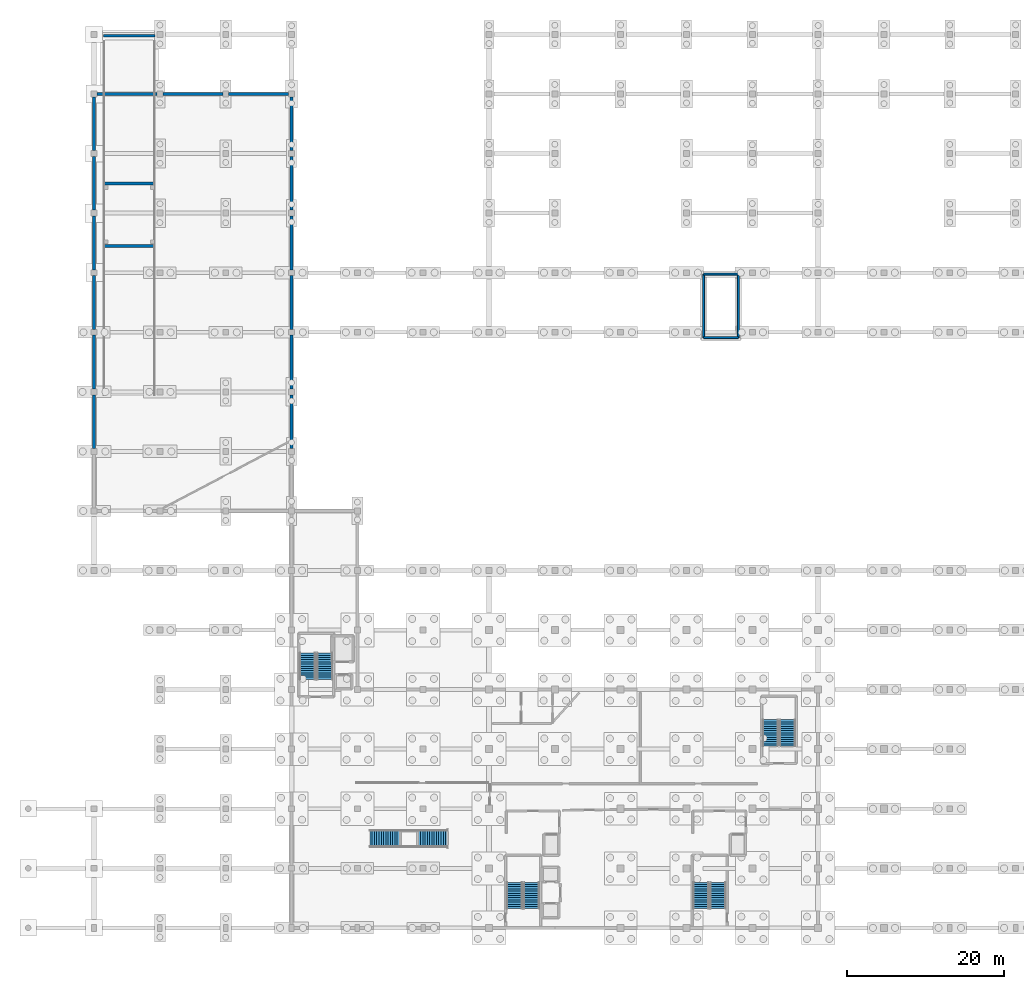
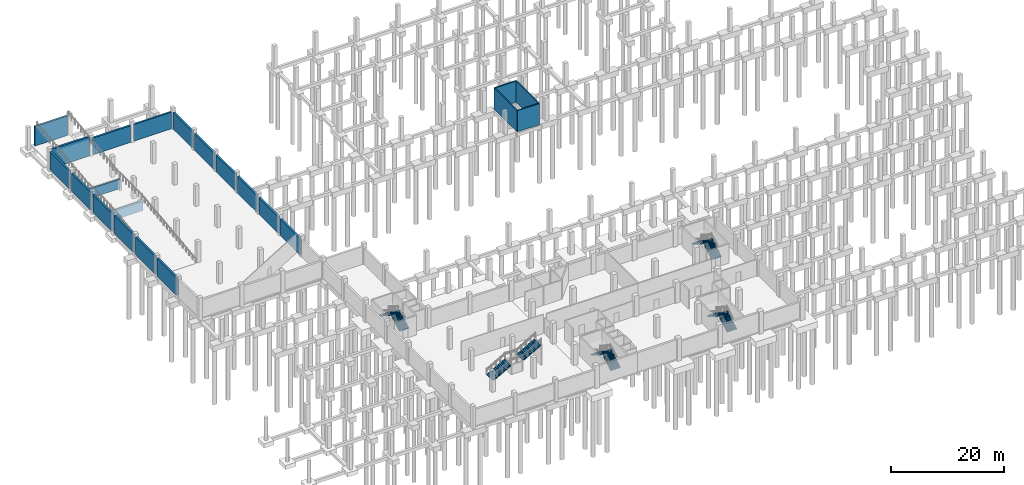
# One storey, part 16 of 22: 22 walls, 10 stair flights, 5 elements without a shape of their own.
"""IFC4 building model written with IfcOpenShell, lengths in metres."""

from ifc_helpers import new_model, si_unit, direction, frame, frame_2d, origin, place, context, subcontext, project, spatial, polyline, rectangle, outline, extrude, material, layer, layer_set, type_object, element, aggregate, save


model = new_model("IFC4")

# Units and contexts
model_context = context("Model", 3, precision=1e-05, world=origin(), true_north=direction((0.0, 1.0)))
body_context = subcontext(model_context, "Body", "Model", "MODEL_VIEW")
ifc_project = project(units=[si_unit("LENGTHUNIT", "METRE"), si_unit("AREAUNIT", "SQUARE_METRE"), si_unit("VOLUMEUNIT", "CUBIC_METRE"), si_unit("PLANEANGLEUNIT", "RADIAN"), si_unit("MASSUNIT", "GRAM", prefix="KILO")], contexts=[model_context])

# Site, building, storey
site_placement = place(None, origin())
site = spatial("IfcSite", under=ifc_project, at=site_placement, CompositionType="ELEMENT")
building_placement = place(site_placement, origin())
building = spatial("IfcBuilding", under=site, at=building_placement, Name="Zuvorla Pavilion Media Centre", CompositionType="ELEMENT")
storey_placement = place(building_placement, frame((0.0, 0.0, -4.5)))
storey = spatial("IfcBuildingStorey", under=building, at=storey_placement, Name="B01", CompositionType="ELEMENT", Elevation=-4.5)

# Walls
ifc_material_1 = material(Name="Concrete C40/50", Category="concrete")
ifc_layer_1 = layer(ifc_material_1, 0.25)
ifc_layer_set_1 = layer_set([ifc_layer_1], Name="Concrete C40/50")
wall_type_1 = type_object("IfcWallType", Name="WL-COR-250", PredefinedType="SHEAR", material=ifc_layer_set_1)
wall_1_placement = place(storey_placement, frame((94.175048828125, 81.324951171875, -0.39990234375), z_axis=(0.0, 0.0, 1.0), x_axis=(1.0, 0.0, 0.0)))
element("IfcWall", 1, at=wall_1_placement, inside=storey, type_object=wall_type_1, Name="B01 shear wall CW25 1", PredefinedType="SHEAR", context=body_context, shape_type="SweptSolid", body=[
    extrude(rectangle(XDim=4.449951171875, YDim=0.25, at=frame_2d((2.22509765625, 0.0))), origin(), (0.0, 0.0, 1.0), 4.579833984375),
])
wall_2_placement = place(storey_placement, frame((98.625, 81.324951171875, -0.39990234375), z_axis=(0.0, 0.0, 1.0), x_axis=(0.0, 1.0, 0.0)))
element("IfcWall", 2, at=wall_2_placement, inside=storey, type_object=wall_type_1, Name="B01 shear wall CW25 2", PredefinedType="SHEAR", context=body_context, shape_type="SweptSolid", body=[
    extrude(rectangle(XDim=8.10009765625, YDim=0.25, at=frame_2d((4.050048828125, 0.0))), origin(), (0.0, 0.0, 1.0), 4.579833984375),
])
wall_3_placement = place(storey_placement, frame((98.625, 89.425048828125, -0.39990234375), z_axis=(0.0, 0.0, 1.0), x_axis=(-1.0, 0.0, 0.0)))
element("IfcWall", 3, at=wall_3_placement, inside=storey, type_object=wall_type_1, Name="B01 shear wall CW25 3", PredefinedType="SHEAR", context=body_context, shape_type="SweptSolid", body=[
    extrude(rectangle(XDim=4.449951171875, YDim=0.25, at=frame_2d((2.22509765625, 0.0))), origin(), (0.0, 0.0, 1.0), 4.579833984375),
])
wall_4_placement = place(storey_placement, frame((94.175048828125, 89.425048828125, -0.39990234375), z_axis=(0.0, 0.0, 1.0), x_axis=(0.0, -1.0, 0.0)))
element("IfcWall", 4, at=wall_4_placement, inside=storey, type_object=wall_type_1, Name="B01 shear wall CW25 4", PredefinedType="SHEAR", context=body_context, shape_type="SweptSolid", body=[
    extrude(rectangle(XDim=8.10009765625, YDim=0.25, at=frame_2d((4.050048828125, 0.0))), origin(), (0.0, 0.0, 1.0), 4.579833984375),
])
ifc_layer_2 = layer(ifc_material_1, 0.35009765625)
ifc_layer_set_2 = layer_set([ifc_layer_2], Name="Concrete C40/50")
wall_type_2 = type_object("IfcWallType", Name="WL-COR-350", PredefinedType="SHEAR", material=ifc_layer_set_2)
for number, where, z_axis, x_axis, name in (
    (5, (17.60009765625, 93.02490234375, 0.0), (0.0, 0.0, 1.0), (1.0, 0.0, 0.0), "B01 shear wall CW35 363"),
    (6, (17.60009765625, 100.97509765625, 0.0), (0.0, 0.0, 1.0), (1.0, 0.0, 0.0), "B01 shear wall CW35 364"),
):
    element("IfcWall", number, at=place(storey_placement, frame(where, z_axis=z_axis, x_axis=x_axis)), inside=storey, type_object=wall_type_2, Name=name, PredefinedType="SHEAR", context=body_context, shape_type="SweptSolid", body=[
        extrude(rectangle(XDim=6.599853515625, YDim=0.35009765625, at=frame_2d((3.2998046875, 0.0))), origin(), (0.0, 0.0, 1.0), 1.985107421875),
    ])
wall_5_placement = place(storey_placement, frame((17.60009765625, 119.85009765625, 0.0), z_axis=(0.0, 0.0, 1.0), x_axis=(1.0, 0.0, 0.0)))
element("IfcWall", 7, at=wall_5_placement, inside=storey, type_object=wall_type_2, Name="B01 shear wall CW35 365", PredefinedType="SHEAR", context=body_context, shape_type="SweptSolid", body=[
    extrude(rectangle(XDim=6.599853515625, YDim=0.35009765625, at=frame_2d((3.2998046875, 0.0))), origin(), (0.0, 0.0, 1.0), 4.219970703125),
])
ifc_material_2 = material(Name="Dark charcoal terracotta concrete C40/50", Category="masonry")
ifc_layer_3 = layer(ifc_material_2, 0.3798828125)
ifc_layer_set_3 = layer_set([ifc_layer_3], Name="Dark charcoal terracotta concrete C40/50")
wall_type_3 = type_object("IfcWallType", Name="WL-EXT-380", PredefinedType="SOLIDWALL", material=ifc_layer_set_3)
wall_6_placement = place(storey_placement, frame((41.60009765625, 67.175048828125, 0.0), z_axis=(0.0, 0.0, 1.0), x_axis=(0.0, 1.0, 0.0)))
element("IfcWall", 8, at=wall_6_placement, inside=storey, type_object=wall_type_3, Name="B01 exterior solid wall EW01 25", PredefinedType="SOLIDWALL", context=body_context, shape_type="SweptSolid", body=[
    extrude(rectangle(XDim=6.849853515625, YDim=0.3798828125, at=frame_2d((3.4248046875, 0.0))), origin(), (0.0, 0.0, 1.0), 3.6103515625),
])
for number, where, z_axis, x_axis, name in (
    (9, (41.60009765625, 74.77490234375, 0.0), (0.0, 0.0, 1.0), (0.0, 1.0, 0.0), "B01 exterior solid wall EW01 26"),
    (10, (41.60009765625, 82.375, 0.0), (0.0, 0.0, 1.0), (0.0, 1.0, 0.0), "B01 exterior solid wall EW01 27"),
):
    element("IfcWall", number, at=place(storey_placement, frame(where, z_axis=z_axis, x_axis=x_axis)), inside=storey, type_object=wall_type_3, Name=name, PredefinedType="SOLIDWALL", context=body_context, shape_type="SweptSolid", body=[
        extrude(rectangle(XDim=6.85009765625, YDim=0.3798828125, at=frame_2d((3.425048828125, 0.0))), origin(), (0.0, 0.0, 1.0), 3.6103515625),
    ])
wall_7_placement = place(storey_placement, frame((41.60009765625, 89.97509765625, 0.0), z_axis=(0.0, 0.0, 1.0), x_axis=(0.0, 1.0, 0.0)))
element("IfcWall", 11, at=wall_7_placement, inside=storey, type_object=wall_type_3, Name="B01 exterior solid wall EW01 28", PredefinedType="SOLIDWALL", context=body_context, shape_type="SweptSolid", body=[
    extrude(rectangle(XDim=6.849853515625, YDim=0.3798828125, at=frame_2d((3.4248046875, 0.0))), origin(), (0.0, 0.0, 1.0), 3.6103515625),
])
wall_8_placement = place(storey_placement, frame((41.60009765625, 97.574951171875, 0.0), z_axis=(0.0, 0.0, 1.0), x_axis=(0.0, 1.0, 0.0)))
element("IfcWall", 12, at=wall_8_placement, inside=storey, type_object=wall_type_3, Name="B01 exterior solid wall EW01 29", PredefinedType="SOLIDWALL", context=body_context, shape_type="SweptSolid", body=[
    extrude(rectangle(XDim=6.85009765625, YDim=0.3798828125, at=frame_2d((3.425048828125, 0.0))), origin(), (0.0, 0.0, 1.0), 3.6103515625),
])
wall_9_placement = place(storey_placement, frame((41.60009765625, 105.175048828125, 0.0), z_axis=(0.0, 0.0, 1.0), x_axis=(0.0, 1.0, 0.0)))
element("IfcWall", 13, at=wall_9_placement, inside=storey, type_object=wall_type_3, Name="B01 exterior solid wall EW01 30", PredefinedType="SOLIDWALL", context=body_context, shape_type="SweptSolid", body=[
    extrude(rectangle(XDim=6.849853515625, YDim=0.3798828125, at=frame_2d((3.4248046875, 0.0))), origin(), (0.0, 0.0, 1.0), 3.6103515625),
])
wall_10_placement = place(storey_placement, frame((41.22509765625, 112.39990234375, 0.0), z_axis=(0.0, 0.0, 1.0), x_axis=(-1.0, 0.0, 0.0)))
element("IfcWall", 14, at=wall_10_placement, inside=storey, type_object=wall_type_3, Name="B01 exterior solid wall EW01 31", PredefinedType="SOLIDWALL", context=body_context, shape_type="SweptSolid", body=[
    extrude(rectangle(XDim=7.650146484375, YDim=0.3798828125, at=frame_2d((3.8251953125, 0.0))), origin(), (0.0, 0.0, 1.0), 3.6103515625),
])
wall_11_placement = place(storey_placement, frame((32.824951171875, 112.39990234375, 0.0), z_axis=(0.0, 0.0, 1.0), x_axis=(-1.0, 0.0, 0.0)))
element("IfcWall", 15, at=wall_11_placement, inside=storey, type_object=wall_type_3, Name="B01 exterior solid wall EW01 32", PredefinedType="SOLIDWALL", context=body_context, shape_type="SweptSolid", body=[
    extrude(rectangle(XDim=7.64990234375, YDim=0.3798828125, at=frame_2d((3.824951171875, 0.0))), origin(), (0.0, 0.0, 1.0), 3.6103515625),
])
wall_12_placement = place(storey_placement, frame((24.425048828125, 112.39990234375, 0.0), z_axis=(0.0, 0.0, 1.0), x_axis=(-1.0, 0.0, 0.0)))
element("IfcWall", 16, at=wall_12_placement, inside=storey, type_object=wall_type_3, Name="B01 exterior solid wall EW01 33", PredefinedType="SOLIDWALL", context=body_context, shape_type="SweptSolid", body=[
    extrude(rectangle(XDim=7.650146484375, YDim=0.3798828125, at=frame_2d((3.8251953125, 0.0))), origin(), (0.0, 0.0, 1.0), 4.159912109375),
])
wall_13_placement = place(storey_placement, frame((16.39990234375, 112.02490234375, 0.0), z_axis=(0.0, 0.0, 1.0), x_axis=(0.0, -1.0, 0.0)))
element("IfcWall", 17, at=wall_13_placement, inside=storey, type_object=wall_type_3, Name="B01 exterior solid wall EW01 34", PredefinedType="SOLIDWALL", context=body_context, shape_type="SweptSolid", body=[
    extrude(rectangle(XDim=6.849853515625, YDim=0.3798828125, at=frame_2d((3.4248046875, 0.0))), origin(), (0.0, 0.0, 1.0), 3.89697265625),
])
wall_14_placement = place(storey_placement, frame((16.39990234375, 104.425048828125, 0.0), z_axis=(0.0, 0.0, 1.0), x_axis=(0.0, -1.0, 0.0)))
element("IfcWall", 18, at=wall_14_placement, inside=storey, type_object=wall_type_3, Name="B01 exterior solid wall EW01 35", PredefinedType="SOLIDWALL", context=body_context, shape_type="SweptSolid", body=[
    extrude(rectangle(XDim=6.85009765625, YDim=0.3798828125, at=frame_2d((3.425048828125, 0.0))), origin(), (0.0, 0.0, 1.0), 3.89697265625),
])
wall_15_placement = place(storey_placement, frame((16.39990234375, 96.824951171875, 0.0), z_axis=(0.0, 0.0, 1.0), x_axis=(0.0, -1.0, 0.0)))
element("IfcWall", 19, at=wall_15_placement, inside=storey, type_object=wall_type_3, Name="B01 exterior solid wall EW01 36", PredefinedType="SOLIDWALL", context=body_context, shape_type="SweptSolid", body=[
    extrude(rectangle(XDim=6.849853515625, YDim=0.3798828125, at=frame_2d((3.4248046875, 0.0))), origin(), (0.0, 0.0, 1.0), 3.89697265625),
])
for number, where, z_axis, x_axis, name in (
    (20, (16.39990234375, 89.22509765625, 0.0), (0.0, 0.0, 1.0), (0.0, -1.0, 0.0), "B01 exterior solid wall EW01 37"),
    (21, (16.39990234375, 81.625, 0.0), (0.0, 0.0, 1.0), (0.0, -1.0, 0.0), "B01 exterior solid wall EW01 38"),
):
    element("IfcWall", number, at=place(storey_placement, frame(where, z_axis=z_axis, x_axis=x_axis)), inside=storey, type_object=wall_type_3, Name=name, PredefinedType="SOLIDWALL", context=body_context, shape_type="SweptSolid", body=[
        extrude(rectangle(XDim=6.85009765625, YDim=0.3798828125, at=frame_2d((3.425048828125, 0.0))), origin(), (0.0, 0.0, 1.0), 3.89697265625),
    ])
wall_16_placement = place(storey_placement, frame((16.39990234375, 74.02490234375, 0.0), z_axis=(0.0, 0.0, 1.0), x_axis=(0.0, -1.0, 0.0)))
element("IfcWall", 22, at=wall_16_placement, inside=storey, type_object=wall_type_3, Name="B01 exterior solid wall EW01 39", PredefinedType="SOLIDWALL", context=body_context, shape_type="SweptSolid", body=[
    extrude(rectangle(XDim=6.849853515625, YDim=0.3798828125, at=frame_2d((3.4248046875, 0.0))), origin(), (0.0, 0.0, 1.0), 3.89697265625),
])

# Stair, stair flights
stair_type_1 = type_object("IfcStairType", Name="STR-DOG-450", PredefinedType="TWO_STRAIGHT_RUN_STAIR", material=ifc_material_1)
stair_1_placement = place(storey_placement, origin())
stair_1 = element("IfcStair", 23, at=stair_1_placement, inside=storey, type_object=stair_type_1, Name="B01 exit stair ST-01", PredefinedType="TWO_STRAIGHT_RUN_STAIR")
stair_flight_type_1 = type_object("IfcStairFlightType", Name="FLT-DOG-450", PredefinedType="STRAIGHT", material=ifc_material_1)
stair_flight_1_placement = place(storey_placement, frame((72.25, 8.449951171875, 0.0), z_axis=(0.0, 0.0, 1.0), x_axis=(0.0, 1.0, 0.0)))
stair_flight_1 = element("IfcStairFlight", 24, at=stair_flight_1_placement, type_object=stair_flight_type_1, Name="ST-01 flight 1", NumberOfRisers=13, NumberOfTreads=12, PredefinedType="STRAIGHT", RiserHeight=0.173076923, TreadLength=0.28, context=body_context, shape_type="SweptSolid", body=[
    extrude(outline(polyline([(0.0, 0.0), (0.0, 0.173095703125), (0.280029296875, 0.173095703125), (0.280029296875, 0.34619140625), (0.56005859375, 0.34619140625), (0.56005859375, 0.519287109375), (0.840087890625, 0.519287109375), (0.840087890625, 0.6923828125), (1.1201171875, 0.6923828125), (1.1201171875, 0.865478515625), (1.39990234375, 0.865478515625), (1.39990234375, 1.03857421875), (1.679931640625, 1.03857421875), (1.679931640625, 1.21142578125), (1.9599609375, 1.21142578125), (1.9599609375, 1.384521484375), (2.239990234375, 1.384521484375), (2.239990234375, 1.5576171875), (2.52001953125, 1.5576171875), (2.52001953125, 1.730712890625), (2.800048828125, 1.730712890625), (2.800048828125, 1.90380859375), (3.080078125, 1.90380859375), (3.080078125, 2.076904296875), (3.360107421875, 2.076904296875), (3.360107421875, 2.25), (3.360107421875, 1.888916015625), (0.30419921875, 0.0), (0.0, 0.0)])), frame((0.0, 1.0, 0.0), z_axis=(0.0, -1.0, 0.0), x_axis=(1.0, 0.0, 0.0)), (0.0, 0.0, 1.0), 2.0),
])
stair_flight_2_placement = place(storey_placement, frame((70.050048828125, 11.81005859375, 2.25), z_axis=(0.0, 0.0, 1.0), x_axis=(0.0, -1.0, 0.0)))
stair_flight_2 = element("IfcStairFlight", 25, at=stair_flight_2_placement, type_object=stair_flight_type_1, Name="ST-01 flight 2", NumberOfRisers=13, NumberOfTreads=12, PredefinedType="STRAIGHT", RiserHeight=0.173076923, TreadLength=0.28, context=body_context, shape_type="SweptSolid", body=[
    extrude(outline(polyline([(0.0, 0.0), (0.0, 0.173095703125), (0.280029296875, 0.173095703125), (0.280029296875, 0.34619140625), (0.56005859375, 0.34619140625), (0.56005859375, 0.519287109375), (0.840087890625, 0.519287109375), (0.840087890625, 0.6923828125), (1.1201171875, 0.6923828125), (1.1201171875, 0.865478515625), (1.39990234375, 0.865478515625), (1.39990234375, 1.03857421875), (1.679931640625, 1.03857421875), (1.679931640625, 1.21142578125), (1.9599609375, 1.21142578125), (1.9599609375, 1.384521484375), (2.239990234375, 1.384521484375), (2.239990234375, 1.5576171875), (2.52001953125, 1.5576171875), (2.52001953125, 1.730712890625), (2.800048828125, 1.730712890625), (2.800048828125, 1.90380859375), (3.080078125, 1.90380859375), (3.080078125, 2.076904296875), (3.360107421875, 2.076904296875), (3.360107421875, 2.25), (3.360107421875, 1.888916015625), (0.30419921875, 0.0), (0.0, 0.0)])), frame((0.0, 1.0, 0.0), z_axis=(0.0, -1.0, 0.0), x_axis=(1.0, 0.0, 0.0)), (0.0, 0.0, 1.0), 2.0),
])
aggregate(stair_1, [stair_flight_1, stair_flight_2])

stair_2_placement = place(storey_placement, origin())
stair_2 = element("IfcStair", 26, at=stair_2_placement, inside=storey, type_object=stair_type_1, Name="B01 exit stair ST-02", PredefinedType="TWO_STRAIGHT_RUN_STAIR")
stair_flight_3_placement = place(storey_placement, frame((96.050048828125, 8.449951171875, 0.0), z_axis=(0.0, 0.0, 1.0), x_axis=(0.0, 1.0, 0.0)))
stair_flight_3 = element("IfcStairFlight", 27, at=stair_flight_3_placement, type_object=stair_flight_type_1, Name="ST-02 flight 1", NumberOfRisers=13, NumberOfTreads=12, PredefinedType="STRAIGHT", RiserHeight=0.173076923, TreadLength=0.28, context=body_context, shape_type="SweptSolid", body=[
    extrude(outline(polyline([(0.0, 0.0), (0.0, 0.173095703125), (0.280029296875, 0.173095703125), (0.280029296875, 0.34619140625), (0.56005859375, 0.34619140625), (0.56005859375, 0.519287109375), (0.840087890625, 0.519287109375), (0.840087890625, 0.6923828125), (1.1201171875, 0.6923828125), (1.1201171875, 0.865478515625), (1.39990234375, 0.865478515625), (1.39990234375, 1.03857421875), (1.679931640625, 1.03857421875), (1.679931640625, 1.21142578125), (1.9599609375, 1.21142578125), (1.9599609375, 1.384521484375), (2.239990234375, 1.384521484375), (2.239990234375, 1.5576171875), (2.52001953125, 1.5576171875), (2.52001953125, 1.730712890625), (2.800048828125, 1.730712890625), (2.800048828125, 1.90380859375), (3.080078125, 1.90380859375), (3.080078125, 2.076904296875), (3.360107421875, 2.076904296875), (3.360107421875, 2.25), (3.360107421875, 1.888916015625), (0.30419921875, 0.0), (0.0, 0.0)])), frame((0.0, 1.0, 0.0), z_axis=(0.0, -1.0, 0.0), x_axis=(1.0, 0.0, 0.0)), (0.0, 0.0, 1.0), 2.0),
])
stair_flight_4_placement = place(storey_placement, frame((93.85009765625, 11.81005859375, 2.25), z_axis=(0.0, 0.0, 1.0), x_axis=(0.0, -1.0, 0.0)))
stair_flight_4 = element("IfcStairFlight", 28, at=stair_flight_4_placement, type_object=stair_flight_type_1, Name="ST-02 flight 2", NumberOfRisers=13, NumberOfTreads=12, PredefinedType="STRAIGHT", RiserHeight=0.173076923, TreadLength=0.28, context=body_context, shape_type="SweptSolid", body=[
    extrude(outline(polyline([(0.0, 0.0), (0.0, 0.173095703125), (0.280029296875, 0.173095703125), (0.280029296875, 0.34619140625), (0.56005859375, 0.34619140625), (0.56005859375, 0.519287109375), (0.840087890625, 0.519287109375), (0.840087890625, 0.6923828125), (1.1201171875, 0.6923828125), (1.1201171875, 0.865478515625), (1.39990234375, 0.865478515625), (1.39990234375, 1.03857421875), (1.679931640625, 1.03857421875), (1.679931640625, 1.21142578125), (1.9599609375, 1.21142578125), (1.9599609375, 1.384521484375), (2.239990234375, 1.384521484375), (2.239990234375, 1.5576171875), (2.52001953125, 1.5576171875), (2.52001953125, 1.730712890625), (2.800048828125, 1.730712890625), (2.800048828125, 1.90380859375), (3.080078125, 1.90380859375), (3.080078125, 2.076904296875), (3.360107421875, 2.076904296875), (3.360107421875, 2.25), (3.360107421875, 1.888916015625), (0.30419921875, 0.0), (0.0, 0.0)])), frame((0.0, 1.0, 0.0), z_axis=(0.0, -1.0, 0.0), x_axis=(1.0, 0.0, 0.0)), (0.0, 0.0, 1.0), 2.0),
])
aggregate(stair_2, [stair_flight_3, stair_flight_4])

stair_3_placement = place(storey_placement, origin())
stair_3 = element("IfcStair", 29, at=stair_3_placement, inside=storey, type_object=stair_type_1, Name="B01 exit stair ST-03", PredefinedType="TWO_STRAIGHT_RUN_STAIR")
stair_flight_5_placement = place(storey_placement, frame((45.85009765625, 37.699951171875, 0.0), z_axis=(0.0, 0.0, 1.0), x_axis=(0.0, 1.0, 0.0)))
stair_flight_5 = element("IfcStairFlight", 30, at=stair_flight_5_placement, type_object=stair_flight_type_1, Name="ST-03 flight 1", NumberOfRisers=13, NumberOfTreads=12, PredefinedType="STRAIGHT", RiserHeight=0.173076923, TreadLength=0.28, context=body_context, shape_type="SweptSolid", body=[
    extrude(outline(polyline([(0.0, 0.0), (0.0, 0.173095703125), (0.280029296875, 0.173095703125), (0.280029296875, 0.34619140625), (0.56005859375, 0.34619140625), (0.56005859375, 0.519287109375), (0.840087890625, 0.519287109375), (0.840087890625, 0.6923828125), (1.1201171875, 0.6923828125), (1.1201171875, 0.865478515625), (1.39990234375, 0.865478515625), (1.39990234375, 1.03857421875), (1.679931640625, 1.03857421875), (1.679931640625, 1.21142578125), (1.9599609375, 1.21142578125), (1.9599609375, 1.384521484375), (2.239990234375, 1.384521484375), (2.239990234375, 1.5576171875), (2.52001953125, 1.5576171875), (2.52001953125, 1.730712890625), (2.800048828125, 1.730712890625), (2.800048828125, 1.90380859375), (3.080078125, 1.90380859375), (3.080078125, 2.076904296875), (3.360107421875, 2.076904296875), (3.360107421875, 2.25), (3.360107421875, 1.888916015625), (0.30419921875, 0.0), (0.0, 0.0)])), frame((0.0, 1.0, 0.0), z_axis=(0.0, -1.0, 0.0), x_axis=(1.0, 0.0, 0.0)), (0.0, 0.0, 1.0), 2.0),
])
stair_flight_6_placement = place(storey_placement, frame((43.64990234375, 41.06005859375, 2.25), z_axis=(0.0, 0.0, 1.0), x_axis=(0.0, -1.0, 0.0)))
stair_flight_6 = element("IfcStairFlight", 31, at=stair_flight_6_placement, type_object=stair_flight_type_1, Name="ST-03 flight 2", NumberOfRisers=13, NumberOfTreads=12, PredefinedType="STRAIGHT", RiserHeight=0.173076923, TreadLength=0.28, context=body_context, shape_type="SweptSolid", body=[
    extrude(outline(polyline([(0.0, 0.0), (0.0, 0.173095703125), (0.280029296875, 0.173095703125), (0.280029296875, 0.34619140625), (0.56005859375, 0.34619140625), (0.56005859375, 0.519287109375), (0.840087890625, 0.519287109375), (0.840087890625, 0.6923828125), (1.1201171875, 0.6923828125), (1.1201171875, 0.865478515625), (1.39990234375, 0.865478515625), (1.39990234375, 1.03857421875), (1.679931640625, 1.03857421875), (1.679931640625, 1.21142578125), (1.9599609375, 1.21142578125), (1.9599609375, 1.384521484375), (2.239990234375, 1.384521484375), (2.239990234375, 1.5576171875), (2.52001953125, 1.5576171875), (2.52001953125, 1.730712890625), (2.800048828125, 1.730712890625), (2.800048828125, 1.90380859375), (3.080078125, 1.90380859375), (3.080078125, 2.076904296875), (3.360107421875, 2.076904296875), (3.360107421875, 2.25), (3.360107421875, 1.888916015625), (0.30419921875, 0.0), (0.0, 0.0)])), frame((0.0, 1.0, 0.0), z_axis=(0.0, -1.0, 0.0), x_axis=(1.0, 0.0, 0.0)), (0.0, 0.0, 1.0), 2.0),
])
aggregate(stair_3, [stair_flight_5, stair_flight_6])

stair_4_placement = place(storey_placement, origin())
stair_4 = element("IfcStair", 32, at=stair_4_placement, inside=storey, type_object=stair_type_1, Name="B01 exit stair ST-04", PredefinedType="TWO_STRAIGHT_RUN_STAIR")
stair_flight_7_placement = place(storey_placement, frame((104.89990234375, 29.199951171875, 0.0), z_axis=(0.0, 0.0, 1.0), x_axis=(0.0, 1.0, 0.0)))
stair_flight_7 = element("IfcStairFlight", 33, at=stair_flight_7_placement, type_object=stair_flight_type_1, Name="ST-04 flight 1", NumberOfRisers=13, NumberOfTreads=12, PredefinedType="STRAIGHT", RiserHeight=0.173076923, TreadLength=0.28, context=body_context, shape_type="SweptSolid", body=[
    extrude(outline(polyline([(0.0, 0.0), (0.0, 0.173095703125), (0.280029296875, 0.173095703125), (0.280029296875, 0.34619140625), (0.56005859375, 0.34619140625), (0.56005859375, 0.519287109375), (0.840087890625, 0.519287109375), (0.840087890625, 0.6923828125), (1.1201171875, 0.6923828125), (1.1201171875, 0.865478515625), (1.39990234375, 0.865478515625), (1.39990234375, 1.03857421875), (1.679931640625, 1.03857421875), (1.679931640625, 1.21142578125), (1.9599609375, 1.21142578125), (1.9599609375, 1.384521484375), (2.239990234375, 1.384521484375), (2.239990234375, 1.5576171875), (2.52001953125, 1.5576171875), (2.52001953125, 1.730712890625), (2.800048828125, 1.730712890625), (2.800048828125, 1.90380859375), (3.080078125, 1.90380859375), (3.080078125, 2.076904296875), (3.360107421875, 2.076904296875), (3.360107421875, 2.25), (3.360107421875, 1.888916015625), (0.30419921875, 0.0), (0.0, 0.0)])), frame((0.0, 1.0, 0.0), z_axis=(0.0, -1.0, 0.0), x_axis=(1.0, 0.0, 0.0)), (0.0, 0.0, 1.0), 2.0),
])
stair_flight_8_placement = place(storey_placement, frame((102.699951171875, 32.56005859375, 2.25), z_axis=(0.0, 0.0, 1.0), x_axis=(0.0, -1.0, 0.0)))
stair_flight_8 = element("IfcStairFlight", 34, at=stair_flight_8_placement, type_object=stair_flight_type_1, Name="ST-04 flight 2", NumberOfRisers=13, NumberOfTreads=12, PredefinedType="STRAIGHT", RiserHeight=0.173076923, TreadLength=0.28, context=body_context, shape_type="SweptSolid", body=[
    extrude(outline(polyline([(0.0, 0.0), (0.0, 0.173095703125), (0.280029296875, 0.173095703125), (0.280029296875, 0.34619140625), (0.56005859375, 0.34619140625), (0.56005859375, 0.519287109375), (0.840087890625, 0.519287109375), (0.840087890625, 0.6923828125), (1.1201171875, 0.6923828125), (1.1201171875, 0.865478515625), (1.39990234375, 0.865478515625), (1.39990234375, 1.03857421875), (1.679931640625, 1.03857421875), (1.679931640625, 1.21142578125), (1.9599609375, 1.21142578125), (1.9599609375, 1.384521484375), (2.239990234375, 1.384521484375), (2.239990234375, 1.5576171875), (2.52001953125, 1.5576171875), (2.52001953125, 1.730712890625), (2.800048828125, 1.730712890625), (2.800048828125, 1.90380859375), (3.080078125, 1.90380859375), (3.080078125, 2.076904296875), (3.360107421875, 2.076904296875), (3.360107421875, 2.25), (3.360107421875, 1.888916015625), (0.30419921875, 0.0), (0.0, 0.0)])), frame((0.0, 1.0, 0.0), z_axis=(0.0, -1.0, 0.0), x_axis=(1.0, 0.0, 0.0)), (0.0, 0.0, 1.0), 2.0),
])
aggregate(stair_4, [stair_flight_7, stair_flight_8])

ifc_material_3 = material(Name="Precast concrete C40/50", Category="concrete")
stair_type_2 = type_object("IfcStairType", Name="STR-FEA-06", PredefinedType="STRAIGHT_RUN_STAIR", material=ifc_material_3)
stair_5_placement = place(storey_placement, origin())
stair_5 = element("IfcStair", 35, at=stair_5_placement, inside=storey, type_object=stair_type_2, Name="B01 feature stair ST-06", PredefinedType="STRAIGHT_RUN_STAIR")
stair_flight_type_2 = type_object("IfcStairFlightType", Name="FLT-FEA-06", PredefinedType="STRAIGHT", material=ifc_material_3)
stair_flight_9_placement = place(storey_placement, frame((51.60009765625, 17.39990234375, 0.0), z_axis=(0.0, 0.0, 1.0), x_axis=(1.0, 0.0, 0.0)))
stair_flight_9 = element("IfcStairFlight", 36, at=stair_flight_9_placement, type_object=stair_flight_type_2, Name="ST-06 flight 1", NumberOfRisers=14, NumberOfTreads=13, PredefinedType="STRAIGHT", RiserHeight=0.160714286, TreadLength=0.29, context=body_context, shape_type="SweptSolid", body=[
    extrude(outline(polyline([(0.0, 0.0), (0.0, 0.16064453125), (0.2900390625, 0.16064453125), (0.2900390625, 0.321533203125), (0.580078125, 0.321533203125), (0.580078125, 0.482177734375), (0.8701171875, 0.482177734375), (0.8701171875, 0.642822265625), (1.159912109375, 0.642822265625), (1.159912109375, 0.803466796875), (1.449951171875, 0.803466796875), (1.449951171875, 0.96435546875), (1.739990234375, 0.96435546875), (1.739990234375, 1.125), (2.030029296875, 1.125), (2.030029296875, 1.28564453125), (2.320068359375, 1.28564453125), (2.320068359375, 1.446533203125), (2.610107421875, 1.446533203125), (2.610107421875, 1.607177734375), (2.89990234375, 1.607177734375), (2.89990234375, 1.767822265625), (3.18994140625, 1.767822265625), (3.18994140625, 1.928466796875), (3.47998046875, 1.928466796875), (3.47998046875, 2.08935546875), (3.77001953125, 2.08935546875), (3.77001953125, 2.25), (3.77001953125, 1.883544921875), (0.37109375, 0.0), (0.0, 0.0)])), frame((0.0, 1.10009765625, 0.0), z_axis=(0.0, -1.0, 0.0), x_axis=(1.0, 0.0, 0.0)), (0.0, 0.0, 1.0), 2.199951171875),
])
stair_flight_10_placement = place(storey_placement, frame((57.77001953125, 17.39990234375, 2.25), z_axis=(0.0, 0.0, 1.0), x_axis=(1.0, 0.0, 0.0)))
stair_flight_10 = element("IfcStairFlight", 37, at=stair_flight_10_placement, type_object=stair_flight_type_2, Name="ST-06 flight 2", NumberOfRisers=14, NumberOfTreads=13, PredefinedType="STRAIGHT", RiserHeight=0.160714286, TreadLength=0.29, context=body_context, shape_type="SweptSolid", body=[
    extrude(outline(polyline([(0.0, 0.0), (0.0, 0.16064453125), (0.2900390625, 0.16064453125), (0.2900390625, 0.321533203125), (0.580078125, 0.321533203125), (0.580078125, 0.482177734375), (0.8701171875, 0.482177734375), (0.8701171875, 0.642822265625), (1.159912109375, 0.642822265625), (1.159912109375, 0.803466796875), (1.449951171875, 0.803466796875), (1.449951171875, 0.96435546875), (1.739990234375, 0.96435546875), (1.739990234375, 1.125), (2.030029296875, 1.125), (2.030029296875, 1.28564453125), (2.320068359375, 1.28564453125), (2.320068359375, 1.446533203125), (2.610107421875, 1.446533203125), (2.610107421875, 1.607177734375), (2.89990234375, 1.607177734375), (2.89990234375, 1.767822265625), (3.18994140625, 1.767822265625), (3.18994140625, 1.928466796875), (3.47998046875, 1.928466796875), (3.47998046875, 2.08935546875), (3.77001953125, 2.08935546875), (3.77001953125, 2.25), (3.77001953125, 1.883544921875), (0.37109375, 0.0), (0.0, 0.0)])), frame((0.0, 1.10009765625, 0.0), z_axis=(0.0, -1.0, 0.0), x_axis=(1.0, 0.0, 0.0)), (0.0, 0.0, 1.0), 2.199951171875),
])
aggregate(stair_5, [stair_flight_9, stair_flight_10])

save(model, "model.ifc")
